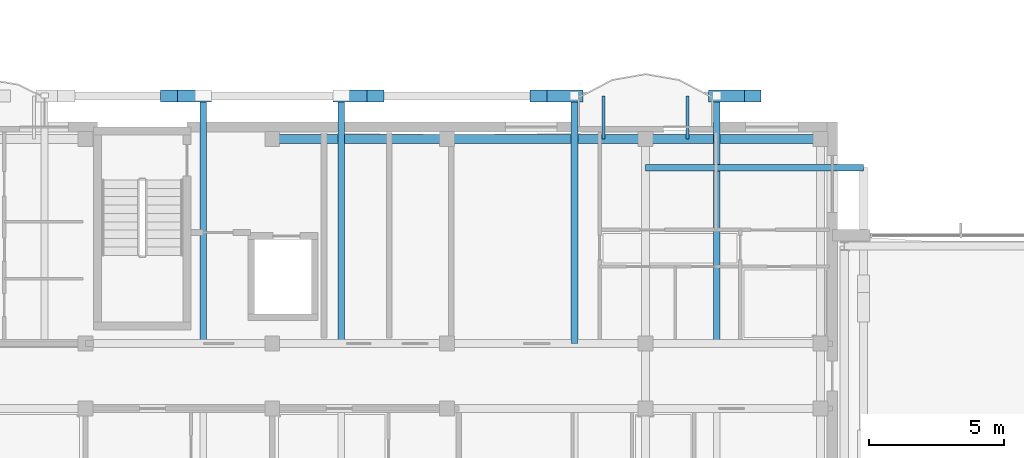
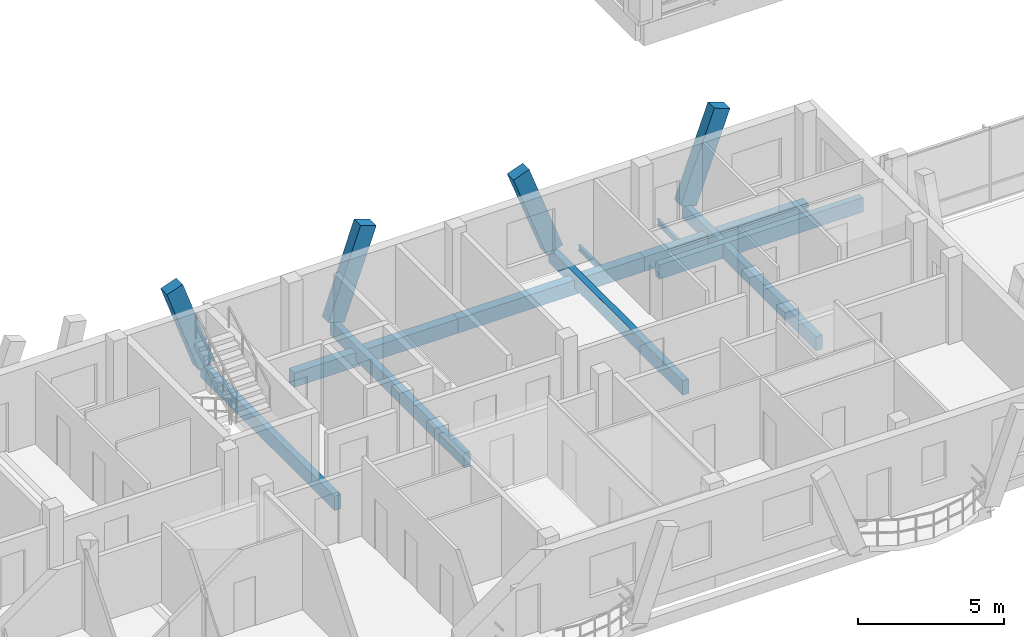
# One storey, part 20 of 189: 10 beams, 4 members.
"""IFC4 building model written with IfcOpenShell, lengths in metres."""

from ifc_helpers import new_model, si_unit, direction, frame, origin, origin_2d, place, context, subcontext, project, spatial, rectangle, i_section, extrude, material, material_profile, profile_set, type_object, element, save


model = new_model("IFC4")

# Units and contexts
model_context = context("Model", 3, precision=1e-05, world=origin(), true_north=direction((0.0, 1.0)))
body_context = subcontext(model_context, "Body", "Model", "MODEL_VIEW")
ifc_project = project(units=[si_unit("LENGTHUNIT", "METRE"), si_unit("AREAUNIT", "SQUARE_METRE"), si_unit("VOLUMEUNIT", "CUBIC_METRE"), si_unit("PLANEANGLEUNIT", "RADIAN"), si_unit("MASSUNIT", "GRAM", prefix="KILO")], contexts=[model_context])

# Site, building, storey
site_placement = place(None, origin())
site = spatial("IfcSite", under=ifc_project, at=site_placement, CompositionType="ELEMENT")
building_placement = place(site_placement, origin())
building = spatial("IfcBuilding", under=site, at=building_placement, Name="Zavelmont Quarter", CompositionType="ELEMENT")
storey_placement = place(building_placement, frame((0.0, 0.0, 4.39990234375)))
storey = spatial("IfcBuildingStorey", under=building, at=storey_placement, Name="L01", CompositionType="ELEMENT", Elevation=4.39990234375)

# Beams
ifc_material_1 = material(Name="Concrete C35/45", Category="concrete")
ifc_material_profile_1 = material_profile(ifc_material_1, rectangle(XDim=0.35009765625, YDim=0.60009765625, at=origin_2d()), Name="RC350X600")
ifc_profile_set_1 = profile_set([ifc_material_profile_1], Name="Concrete C35/45")
beam_type_1 = type_object("IfcBeamType", Name="BM01", PredefinedType="SPANDREL", material=ifc_profile_set_1)
beam_1_placement = place(storey_placement, frame((34.5, 17.9599609375, -0.579833984375), z_axis=(1.0, 0.0, 0.0), x_axis=(0.0, 1.0, 0.0)))
element("IfcBeam", 1, at=beam_1_placement, inside=storey, type_object=beam_type_1, Name="L01 beam BM01 6/D to 7/D", PredefinedType="SPANDREL", context=body_context, shape_type="SweptSolid", body=[
    extrude(rectangle(XDim=0.35009765625, YDim=0.60009765625, at=origin_2d()), origin(), (0.0, 0.0, 1.0), 6.4599609375),
])
beam_2_placement = place(storey_placement, frame((40.9599609375, 17.9599609375, -0.579833984375), z_axis=(1.0, 0.0, 0.0), x_axis=(0.0, 1.0, 0.0)))
element("IfcBeam", 2, at=beam_2_placement, inside=storey, type_object=beam_type_1, Name="L01 beam BM01 7/D to 8/D", PredefinedType="SPANDREL", context=body_context, shape_type="SweptSolid", body=[
    extrude(rectangle(XDim=0.35009765625, YDim=0.60009765625, at=origin_2d()), origin(), (0.0, 0.0, 1.0), 7.340087890625),
])
beam_3_placement = place(storey_placement, frame((48.300048828125, 17.9599609375, -0.579833984375), z_axis=(1.0, 0.0, 0.0), x_axis=(0.0, 1.0, 0.0)))
element("IfcBeam", 3, at=beam_3_placement, inside=storey, type_object=beam_type_1, Name="L01 beam BM01 8/D to 9/D", PredefinedType="SPANDREL", context=body_context, shape_type="SweptSolid", body=[
    extrude(rectangle(XDim=0.35009765625, YDim=0.60009765625, at=origin_2d()), origin(), (0.0, 0.0, 1.0), 6.4599609375),
])
ifc_material_2 = material(Name="Steel S355", Category="steel")
ifc_material_profile_2 = material_profile(ifc_material_2, i_section(OverallWidth=0.110107421875, OverallDepth=0.219970703125, WebThickness=0.005859375, FlangeThickness=0.00927734375, at=origin_2d()), Name="IPE 220")
ifc_profile_set_2 = profile_set([ifc_material_profile_2], Name="Steel S355")
beam_type_2 = type_object("IfcBeamType", Name="BM15", PredefinedType="JOIST", material=ifc_profile_set_2)
for number, where, z_axis, x_axis, name in (
    (4, (46.75, 17.9599609375, -0.391845703125), (0.0, 1.0, 0.0), (-1.0, 0.0, 0.0), "L01 beam BM15 8/D to 8/D"),
    (5, (49.85009765625, 17.9599609375, -0.391845703125), (0.0, 1.0, 0.0), (-1.0, 0.0, 0.0), "L01 beam BM15 8/D to 8/D"),
):
    element("IfcBeam", number, at=place(storey_placement, frame(where, z_axis=z_axis, x_axis=x_axis)), inside=storey, type_object=beam_type_2, Name=name, PredefinedType="JOIST", context=body_context, shape_type="SweptSolid", body=[
        extrude(i_section(OverallWidth=0.110107421875, OverallDepth=0.219970703125, WebThickness=0.005859375, FlangeThickness=0.00927734375, at=origin_2d()), origin(), (0.0, 0.0, 1.0), 1.590087890625),
    ])
ifc_material_3 = material(Name="Concrete C40/50", Category="concrete")
ifc_material_profile_3 = material_profile(ifc_material_3, rectangle(XDim=0.25, YDim=0.60009765625, at=origin_2d()), Name="RC250X600")
ifc_profile_set_3 = profile_set([ifc_material_profile_3], Name="Concrete C40/50")
beam_type_3 = type_object("IfcBeamType", Name="BM18", PredefinedType="BEAM", material=ifc_profile_set_3)
for number, where, z_axis, x_axis, name in (
    (6, (31.950439453125, 10.39990234375, -0.2998046875), (0.0, 1.0, 0.0), (-1.0, 0.0, 0.0), "L01 beam BM18 6/C to 6/D"),
    (7, (37.049560546875, 10.39990234375, -0.2998046875), (0.0, 1.0, 0.0), (-1.0, 0.0, 0.0), "L01 beam BM18 6/C to 6/D"),
    (8, (45.66748046875, 10.39990234375, -0.2998046875), (0.0, 1.0, 0.0), (-1.0, 0.0, 0.0), "L01 beam BM18 8/C to 8/D"),
    (9, (50.9326171875, 10.39990234375, -0.2998046875), (0.0, 1.0, 0.0), (-1.0, 0.0, 0.0), "L01 beam BM18 8/C to 8/D"),
):
    element("IfcBeam", number, at=place(storey_placement, frame(where, z_axis=z_axis, x_axis=x_axis)), inside=storey, type_object=beam_type_3, Name=name, PredefinedType="BEAM", context=body_context, shape_type="SweptSolid", body=[
        extrude(rectangle(XDim=0.25, YDim=0.60009765625, at=origin_2d()), origin(), (0.0, 0.0, 1.0), 9.150146484375),
    ])
beam_4_placement = place(storey_placement, frame((48.300048828125, 16.89990234375, -0.2998046875), z_axis=(1.0, 0.0, 0.0), x_axis=(0.0, 1.0, 0.0)))
element("IfcBeam", 10, at=beam_4_placement, inside=storey, type_object=beam_type_3, Name="L01 beam BM18 8/D to 9/D", PredefinedType="BEAM", context=body_context, shape_type="SweptSolid", body=[
    extrude(rectangle(XDim=0.25, YDim=0.60009765625, at=origin_2d()), origin(), (0.0, 0.0, 1.0), 8.050048828125),
])

# Members
ifc_material_4 = material(Name="White architectural precast concrete C40/50", Category="concrete")
ifc_material_profile_4 = material_profile(ifc_material_4, rectangle(XDim=0.43994140625, YDim=0.659912109375, at=origin_2d()), Name="PCR320X480")
ifc_profile_set_4 = profile_set([ifc_material_profile_4], Name="White architectural precast concrete C40/50")
member_type = type_object("IfcMemberType", Name="VR01M", PredefinedType="CHORD", material=ifc_profile_set_4)
for number, where, z_axis, x_axis, name in (
    (11, (31.950439453125, 19.550048828125, 0.0), (-0.331427503547, 0.0, 0.94348068867), (0.0, -1.0, 0.0), "L01 member VR01M 6/D to 5/D"),
    (12, (37.049560546875, 19.550048828125, 0.0), (0.331427503547, 0.0, 0.94348068867), (0.0, 1.0, 0.0), "L01 member VR01M 6/D to 7/D"),
):
    element("IfcMember", number, at=place(storey_placement, frame(where, z_axis=z_axis, x_axis=x_axis)), inside=storey, type_object=member_type, Name=name, PredefinedType="CHORD", context=body_context, shape_type="SweptSolid", body=[
        extrude(rectangle(XDim=0.43994140625, YDim=0.659912109375, at=origin_2d()), origin(), (0.0, 0.0, 1.0), 3.815673828125),
    ])
for number, where, z_axis, x_axis, name in (
    (13, (45.66748046875, 19.550048828125, 0.0), (-0.345608040191, 0.0, 0.93837896532), (0.0, -1.0, 0.0), "L01 member VR01M 8/D to 7/D"),
    (14, (50.9326171875, 19.550048828125, 0.0), (0.345608040191, 0.0, 0.93837896532), (0.0, 1.0, 0.0), "L01 member VR01M 8/D to 9/D"),
):
    element("IfcMember", number, at=place(storey_placement, frame(where, z_axis=z_axis, x_axis=x_axis)), inside=storey, type_object=member_type, Name=name, PredefinedType="CHORD", context=body_context, shape_type="SweptSolid", body=[
        extrude(rectangle(XDim=0.43994140625, YDim=0.659912109375, at=origin_2d()), origin(), (0.0, 0.0, 1.0), 3.83642578125),
    ])

save(model, "model.ifc")
